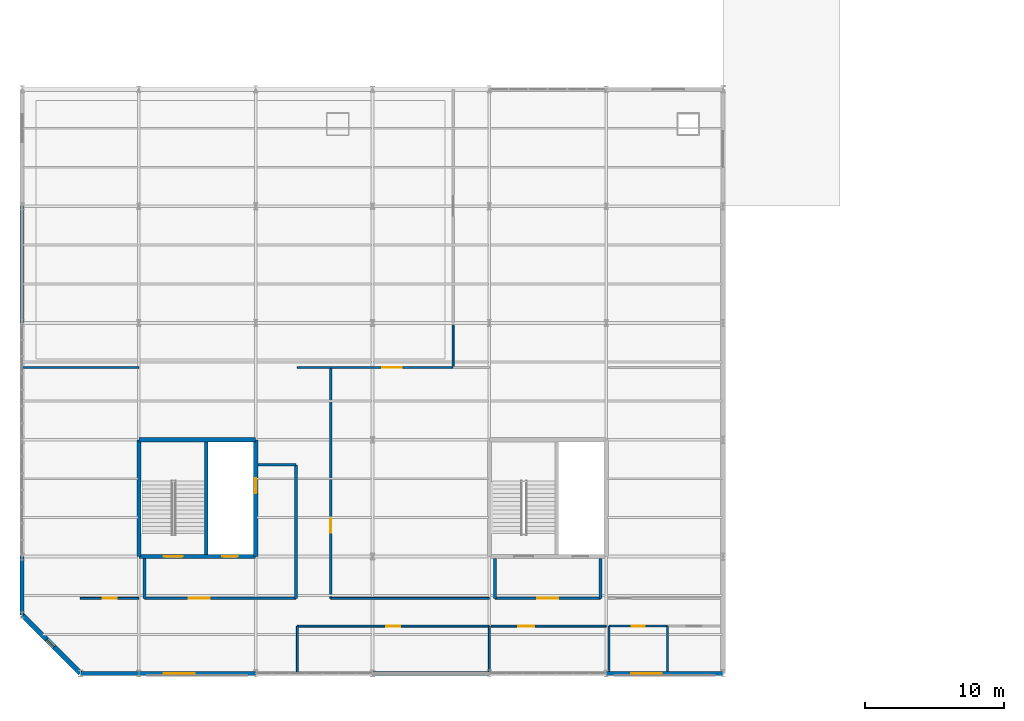
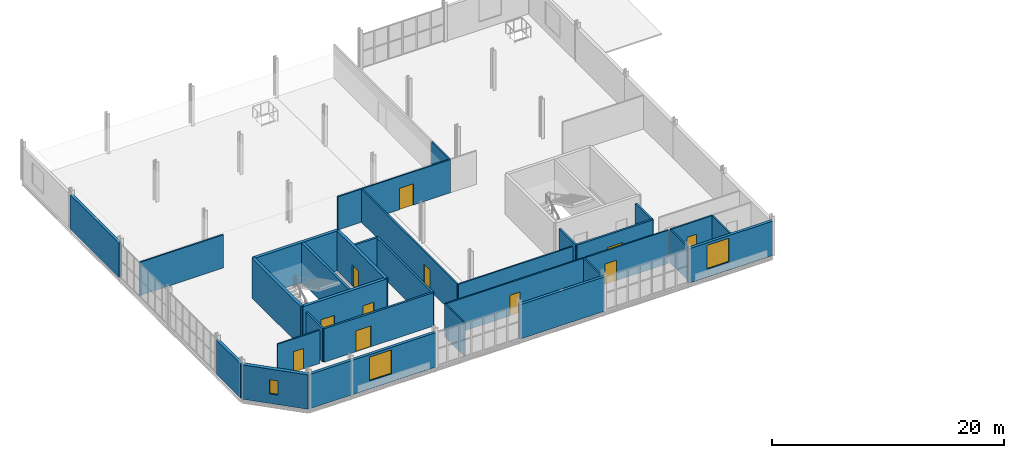
# One storey, part 46 of 69: 33 walls, 11 doors, 3 windows, 14 openings.
"""IFC4 building model written with IfcOpenShell, lengths in metres."""

from ifc_helpers import new_model, si_unit, direction, frame, frame_2d, origin, place, context, subcontext, project, spatial, rectangle, extrude, material, layer, layer_set, type_object, element, fill, save


model = new_model("IFC4")

# Units and contexts
model_context = context("Model", 3, precision=1e-05, world=origin(), true_north=direction((0.0, 1.0)))
body_context = subcontext(model_context, "Body", "Model", "MODEL_VIEW")
ifc_project = project(units=[si_unit("LENGTHUNIT", "METRE"), si_unit("AREAUNIT", "SQUARE_METRE"), si_unit("VOLUMEUNIT", "CUBIC_METRE"), si_unit("PLANEANGLEUNIT", "RADIAN"), si_unit("MASSUNIT", "GRAM", prefix="KILO")], contexts=[model_context])

# Site, building, storey
site_placement = place(None, origin())
site = spatial("IfcSite", under=ifc_project, at=site_placement, CompositionType="ELEMENT")
building_placement = place(site_placement, origin())
building = spatial("IfcBuilding", under=site, at=building_placement, Name="Qalvenar Corner Mobility Hub", CompositionType="ELEMENT")
storey_placement = place(building_placement, frame((0.0, 0.0, 13.199951171875)))
storey = spatial("IfcBuildingStorey", under=building, at=storey_placement, Name="L03", CompositionType="ELEMENT", Elevation=13.199951171875)

# Wall
ifc_material_1 = material(Name="Concrete C40/50", Category="concrete")
ifc_layer_1 = layer(ifc_material_1, 0.25)
ifc_layer_set_1 = layer_set([ifc_layer_1], Name="Concrete C40/50")
wall_type_1 = type_object("IfcWallType", Name="WL-CORE250", PredefinedType="SHEAR", material=ifc_layer_set_1)
wall_1_placement = place(storey_placement, frame((13.25, 8.550048828125, 0.0), z_axis=(0.0, 0.0, 1.0), x_axis=(0.0, 1.0, 0.0)))
element("IfcWall", 1, at=wall_1_placement, inside=storey, type_object=wall_type_1, Name="Core Divider Wall C1-L03", PredefinedType="SHEAR", context=body_context, shape_type="SweptSolid", body=[
    extrude(rectangle(XDim=8.099853515625, YDim=0.25, at=frame_2d((4.0498046875, 0.0))), origin(), (0.0, 0.0, 1.0), 4.199951171875),
])

# Wall, openings, doors
ifc_layer_2 = layer(ifc_material_1, 0.300048828125)
ifc_layer_set_2 = layer_set([ifc_layer_2], Name="Concrete C40/50")
wall_type_2 = type_object("IfcWallType", Name="WL-CORE300", PredefinedType="SHEAR", material=ifc_layer_set_2)
wall_2_placement = place(storey_placement, frame((8.39990234375, 8.39990234375, 0.0), z_axis=(0.0, 0.0, 1.0), x_axis=(1.0, 0.0, 0.0)))
wall_2 = element("IfcWall", 2, at=wall_2_placement, inside=storey, type_object=wall_type_2, Name="Core Shear Wall C1-L03-S", PredefinedType="SHEAR", context=body_context, shape_type="SweptSolid", body=[
    extrude(rectangle(XDim=8.400146484375, YDim=0.300048828125, at=frame_2d((4.2001953125, 0.0))), origin(), (0.0, 0.0, 1.0), 4.199951171875),
])
opening_1_placement = place(wall_2_placement, frame((1.800048828125, 0.0, 0.0)))
opening_1 = element("IfcOpeningElement", 3, at=opening_1_placement, cuts=wall_2, Name="Opening DR-200", PredefinedType="OPENING", context=body_context, shape_type="SweptSolid", body=[
    extrude(rectangle(XDim=1.35009765625, YDim=2.199951171875, at=frame_2d((0.675048828125, 1.10009765625))), frame((0.0, 0.16015625, 0.0), z_axis=(0.0, -1.0, 0.0), x_axis=(1.0, 0.0, 0.0)), (0.0, 0.0, 1.0), 0.320068359375),
])
opening_2_placement = place(wall_2_placement, frame((6.0, 0.0, 0.0)))
opening_2 = element("IfcOpeningElement", 4, at=opening_2_placement, cuts=wall_2, Name="Opening DR-201", PredefinedType="OPENING", context=body_context, shape_type="SweptSolid", body=[
    extrude(rectangle(XDim=1.10009765625, YDim=2.199951171875, at=frame_2d((0.550048828125, 1.10009765625))), frame((0.0, 0.16015625, 0.0), z_axis=(0.0, -1.0, 0.0), x_axis=(1.0, 0.0, 0.0)), (0.0, 0.0, 1.0), 0.320068359375),
])
ifc_material_2 = material(Name="Stainless Steel Lift Landing Door", Category="steel")
door_type_1 = type_object("IfcDoorType", Name="DR-LIFT-110", OperationType="SLIDING_TO_LEFT", PredefinedType="DOOR", material=ifc_material_2)
door_1_placement = place(opening_2_placement, origin())
door_1 = element("IfcDoor", 5, at=door_1_placement, inside=storey, type_object=door_type_1, Name="DR-201 Lift Landing Door LF1-L03", OperationType="SLIDING_TO_LEFT", OverallHeight=2.199951171875, OverallWidth=1.10009765625, PredefinedType="DOOR", context=body_context, shape_type="SweptSolid", body=[
    extrude(rectangle(XDim=1.10009765625, YDim=2.199951171875, at=frame_2d((0.550048828125, 1.10009765625))), frame((0.0, 0.02490234375, 0.0), z_axis=(0.0, -1.0, 0.0), x_axis=(1.0, 0.0, 0.0)), (0.0, 0.0, 1.0), 0.050048828125),
])
fill(opening_2, door_1)
ifc_material_3 = material(Name="Fire-Rated Steel Stair Door FD90", Category="steel")
door_type_2 = type_object("IfcDoorType", Name="DR-STAIR-135", OperationType="NOTDEFINED", PredefinedType="DOOR", material=ifc_material_3)
door_2_placement = place(opening_1_placement, origin())
door_2 = element("IfcDoor", 6, at=door_2_placement, inside=storey, type_object=door_type_2, Name="DR-200 Stair Fire Door ST1-L03", OperationType="SINGLE_SWING_RIGHT", OverallHeight=2.199951171875, OverallWidth=1.35009765625, PredefinedType="DOOR", context=body_context, shape_type="SweptSolid", body=[
    extrude(rectangle(XDim=1.35009765625, YDim=2.199951171875, at=frame_2d((0.675048828125, 1.10009765625))), frame((0.0, 0.02490234375, 0.0), z_axis=(0.0, -1.0, 0.0), x_axis=(1.0, 0.0, 0.0)), (0.0, 0.0, 1.0), 0.050048828125),
])
fill(opening_1, door_2)

# Wall, opening, door
wall_3_placement = place(storey_placement, frame((16.800048828125, 8.39990234375, 0.0), z_axis=(0.0, 0.0, 1.0), x_axis=(0.0, 1.0, 0.0)))
wall_3 = element("IfcWall", 7, at=wall_3_placement, inside=storey, type_object=wall_type_2, Name="Core Shear Wall C1-L03-E", PredefinedType="SHEAR", context=body_context, shape_type="SweptSolid", body=[
    extrude(rectangle(XDim=8.400146484375, YDim=0.300048828125, at=frame_2d((4.2001953125, 0.0))), origin(), (0.0, 0.0, 1.0), 4.199951171875),
])
opening_3_placement = place(wall_3_placement, frame((4.550048828125, 0.0, 0.0)))
opening_3 = element("IfcOpeningElement", 8, at=opening_3_placement, cuts=wall_3, Name="Opening DR-202", PredefinedType="OPENING", context=body_context, shape_type="SweptSolid", body=[
    extrude(rectangle(XDim=1.10009765625, YDim=2.199951171875, at=frame_2d((0.550048828125, 1.10009765625))), frame((0.0, 0.16015625, 0.0), z_axis=(0.0, -1.0, 0.0), x_axis=(1.0, 0.0, 0.0)), (0.0, 0.0, 1.0), 0.320068359375),
])
door_3_placement = place(opening_3_placement, origin())
door_3 = element("IfcDoor", 9, at=door_3_placement, inside=storey, type_object=door_type_1, Name="DR-202 Lift Landing Door LP1-L03", OperationType="SLIDING_TO_RIGHT", OverallHeight=2.199951171875, OverallWidth=1.10009765625, PredefinedType="DOOR", context=body_context, shape_type="SweptSolid", body=[
    extrude(rectangle(XDim=1.10009765625, YDim=2.199951171875, at=frame_2d((0.550048828125, 1.10009765625))), frame((0.0, 0.02490234375, 0.0), z_axis=(0.0, -1.0, 0.0), x_axis=(1.0, 0.0, 0.0)), (0.0, 0.0, 1.0), 0.050048828125),
])
fill(opening_3, door_3)

# Walls
for number, where, z_axis, x_axis, name in (
    (10, (16.800048828125, 16.800048828125, 0.0), (0.0, 0.0, 1.0), (-1.0, 0.0, 0.0), "Core Shear Wall C1-L03-N"),
    (11, (8.39990234375, 16.800048828125, 0.0), (0.0, 0.0, 1.0), (0.0, -1.0, 0.0), "Core Shear Wall C1-L03-W"),
):
    element("IfcWall", number, at=place(storey_placement, frame(where, z_axis=z_axis, x_axis=x_axis)), inside=storey, type_object=wall_type_2, Name=name, PredefinedType="SHEAR", context=body_context, shape_type="SweptSolid", body=[
        extrude(rectangle(XDim=8.400146484375, YDim=0.300048828125, at=frame_2d((4.2001953125, 0.0))), origin(), (0.0, 0.0, 1.0), 4.199951171875),
    ])
ifc_material_4 = material(Name="Kashikari Glazed Faience Masonry", Category="masonry")
ifc_layer_3 = layer(ifc_material_4, 0.280029296875)
ifc_layer_set_3 = layer_set([ifc_layer_3], Name="Kashikari Glazed Faience Masonry")
wall_type_3 = type_object("IfcWallType", Name="WL-EXT-FAI280", PredefinedType="STANDARD", material=ifc_layer_set_3)
wall_4_placement = place(storey_placement, frame((4.199951171875, 0.0, 0.0), z_axis=(0.0, 0.0, 1.0), x_axis=(1.0, 0.0, 0.0)))
element("IfcWall", 12, at=wall_4_placement, inside=storey, type_object=wall_type_3, Name="Exterior Facade Wall EW-V3-L03-028", PredefinedType="STANDARD", context=body_context, shape_type="SweptSolid", body=[
    extrude(rectangle(XDim=4.199951171875, YDim=0.280029296875, at=frame_2d((2.10009765625, 0.0))), origin(), (0.0, 0.0, 1.0), 3.6201171875),
])

# Wall, opening, window
wall_5_placement = place(storey_placement, frame((8.39990234375, 0.0, 0.0), z_axis=(0.0, 0.0, 1.0), x_axis=(1.0, 0.0, 0.0)))
wall_5 = element("IfcWall", 13, at=wall_5_placement, inside=storey, type_object=wall_type_3, Name="Exterior Facade Wall EW-V3-L03-029", PredefinedType="STANDARD", context=body_context, shape_type="SweptSolid", body=[
    extrude(rectangle(XDim=8.400146484375, YDim=0.280029296875, at=frame_2d((4.2001953125, 0.0))), origin(), (0.0, 0.0, 1.0), 3.6201171875),
])
opening_4_placement = place(wall_5_placement, frame((1.800048828125, 0.0, 0.85009765625)))
opening_4 = element("IfcOpeningElement", 14, at=opening_4_placement, cuts=wall_5, Name="Opening W-07", PredefinedType="OPENING", context=body_context, shape_type="SweptSolid", body=[
    extrude(rectangle(XDim=2.199951171875, YDim=2.5, at=frame_2d((1.10009765625, 1.25))), frame((0.0, 0.14990234375, 0.0), z_axis=(0.0, -1.0, 0.0), x_axis=(1.0, 0.0, 0.0)), (0.0, 0.0, 1.0), 0.300048828125),
])
ifc_material_5 = material(Name="Solar-Control Double-Glazed Bronze Window", Category="glass")
window_type_1 = type_object("IfcWindowType", Name="WN-CIV-220X250", PartitioningType="TRIPLE_PANEL_VERTICAL", PredefinedType="WINDOW", material=ifc_material_5)
window_1_placement = place(opening_4_placement, origin())
window_1 = element("IfcWindow", 15, at=window_1_placement, inside=storey, type_object=window_type_1, Name="Facade Window EW-V3-L03-029-W1", OverallHeight=2.5, OverallWidth=2.199951171875, PartitioningType="SINGLE_PANEL", PredefinedType="WINDOW", context=body_context, shape_type="SweptSolid", body=[
    extrude(rectangle(XDim=2.199951171875, YDim=2.5, at=frame_2d((1.10009765625, 1.25))), frame((0.0, 0.030029296875, 0.0), z_axis=(0.0, -1.0, 0.0), x_axis=(1.0, 0.0, 0.0)), (0.0, 0.0, 1.0), 0.06005859375),
])
fill(opening_4, window_1)

# Wall
wall_6_placement = place(storey_placement, frame((25.199951171875, 0.0, 0.0), z_axis=(0.0, 0.0, 1.0), x_axis=(1.0, 0.0, 0.0)))
element("IfcWall", 16, at=wall_6_placement, inside=storey, type_object=wall_type_3, Name="Exterior Facade Wall EW-V3-L03-030", PredefinedType="STANDARD", context=body_context, shape_type="SweptSolid", body=[
    extrude(rectangle(XDim=8.400146484375, YDim=0.280029296875, at=frame_2d((4.2001953125, 0.0))), origin(), (0.0, 0.0, 1.0), 3.6201171875),
])

# Wall, opening, window
wall_7_placement = place(storey_placement, frame((42.0, 0.0, 0.0), z_axis=(0.0, 0.0, 1.0), x_axis=(1.0, 0.0, 0.0)))
wall_7 = element("IfcWall", 17, at=wall_7_placement, inside=storey, type_object=wall_type_3, Name="Exterior Facade Wall EW-V3-L03-031", PredefinedType="STANDARD", context=body_context, shape_type="SweptSolid", body=[
    extrude(rectangle(XDim=8.39990234375, YDim=0.280029296875, at=frame_2d((4.199951171875, 0.0))), origin(), (0.0, 0.0, 1.0), 3.6201171875),
])
opening_5_placement = place(wall_7_placement, frame((1.800048828125, 0.0, 0.85009765625)))
opening_5 = element("IfcOpeningElement", 18, at=opening_5_placement, cuts=wall_7, Name="Opening W-07", PredefinedType="OPENING", context=body_context, shape_type="SweptSolid", body=[
    extrude(rectangle(XDim=2.199951171875, YDim=2.5, at=frame_2d((1.10009765625, 1.25))), frame((0.0, 0.14990234375, 0.0), z_axis=(0.0, -1.0, 0.0), x_axis=(1.0, 0.0, 0.0)), (0.0, 0.0, 1.0), 0.300048828125),
])
window_2_placement = place(opening_5_placement, origin())
window_2 = element("IfcWindow", 19, at=window_2_placement, inside=storey, type_object=window_type_1, Name="Facade Window EW-V3-L03-031-W1", OverallHeight=2.5, OverallWidth=2.199951171875, PartitioningType="SINGLE_PANEL", PredefinedType="WINDOW", context=body_context, shape_type="SweptSolid", body=[
    extrude(rectangle(XDim=2.199951171875, YDim=2.5, at=frame_2d((1.10009765625, 1.25))), frame((0.0, 0.030029296875, 0.0), z_axis=(0.0, -1.0, 0.0), x_axis=(1.0, 0.0, 0.0)), (0.0, 0.0, 1.0), 0.06005859375),
])
fill(opening_5, window_2)

# Walls
wall_8_placement = place(storey_placement, frame((0.0, 8.39990234375, 0.0), z_axis=(0.0, 0.0, 1.0), x_axis=(0.0, -1.0, 0.0)))
element("IfcWall", 20, at=wall_8_placement, inside=storey, type_object=wall_type_3, Name="Exterior Facade Wall EW-V3-L03-032", PredefinedType="STANDARD", context=body_context, shape_type="SweptSolid", body=[
    extrude(rectangle(XDim=4.199951171875, YDim=0.280029296875, at=frame_2d((2.10009765625, 0.0))), origin(), (0.0, 0.0, 1.0), 3.6201171875),
])
wall_9_placement = place(storey_placement, frame((0.0, 33.60009765625, 0.0), z_axis=(0.0, 0.0, 1.0), x_axis=(0.0, -1.0, 0.0)))
element("IfcWall", 21, at=wall_9_placement, inside=storey, type_object=wall_type_3, Name="Exterior Facade Wall EW-V3-L03-033", PredefinedType="STANDARD", context=body_context, shape_type="SweptSolid", body=[
    extrude(rectangle(XDim=8.400146484375, YDim=0.280029296875, at=frame_2d((4.2001953125, 0.0))), origin(), (0.0, 0.0, 1.0), 3.6201171875),
])

# Wall, opening, window
ifc_material_6 = material(Name="Red Sandstone Ashlar Masonry", Category="masonry")
ifc_layer_4 = layer(ifc_material_6, 0.360107421875)
ifc_layer_set_4 = layer_set([ifc_layer_4], Name="Red Sandstone Ashlar Masonry")
wall_type_4 = type_object("IfcWallType", Name="WL-EXT-SAND360", PredefinedType="STANDARD", material=ifc_layer_set_4)
wall_10_placement = place(storey_placement, frame((0.0, 4.199951171875, 0.0), z_axis=(0.0, 0.0, 1.0), x_axis=(0.707106781187, -0.707106781187, 0.0)))
wall_10 = element("IfcWall", 22, at=wall_10_placement, inside=storey, type_object=wall_type_4, Name="Exterior Facade Wall EW-V3-SPL-L03", PredefinedType="STANDARD", context=body_context, shape_type="SweptSolid", body=[
    extrude(rectangle(XDim=5.939697265625, YDim=0.360107421875, at=frame_2d((2.9697265625, 0.0))), origin(), (0.0, 0.0, 1.0), 3.6201171875),
])
opening_6_placement = place(wall_10_placement, frame((2.5, 0.0, 1.0)))
opening_6 = element("IfcOpeningElement", 23, at=opening_6_placement, cuts=wall_10, Name="Opening W-24", PredefinedType="OPENING", context=body_context, shape_type="SweptSolid", body=[
    extrude(rectangle(XDim=0.75, YDim=1.5, at=frame_2d((0.375, 0.75))), frame((0.0, 0.18994140625, 0.0), z_axis=(0.0, -1.0, 0.0), x_axis=(1.0, 0.0, 0.0)), (0.0, 0.0, 1.0), 0.380126953125),
])
window_type_2 = type_object("IfcWindowType", Name="WN-STR-075X150", PartitioningType="SINGLE_PANEL", PredefinedType="WINDOW", material=ifc_material_5)
window_3_placement = place(opening_6_placement, origin())
window_3 = element("IfcWindow", 24, at=window_3_placement, inside=storey, type_object=window_type_2, Name="Facade Window EW-V3-SPL-L03-W1", OverallHeight=1.5, OverallWidth=0.75, PartitioningType="SINGLE_PANEL", PredefinedType="WINDOW", context=body_context, shape_type="SweptSolid", body=[
    extrude(rectangle(XDim=0.75, YDim=1.5, at=frame_2d((0.375, 0.75))), frame((0.0, 0.030029296875, 0.0), z_axis=(0.0, -1.0, 0.0), x_axis=(1.0, 0.0, 0.0)), (0.0, 0.0, 1.0), 0.06005859375),
])
fill(opening_6, window_3)

# Wall, opening, door
ifc_material_7 = material(Name="Acoustic Gypsum Stud Partition", Category="masonry")
ifc_layer_5 = layer(ifc_material_7, 0.139892578125)
ifc_layer_set_5 = layer_set([ifc_layer_5], Name="Acoustic Gypsum Stud Partition")
wall_type_5 = type_object("IfcWallType", Name="WL-INT140", PredefinedType="PARTITIONING", material=ifc_layer_set_5)
wall_11_placement = place(storey_placement, frame((19.800048828125, 3.39990234375, 0.0), z_axis=(0.0, 0.0, 1.0), x_axis=(1.0, 0.0, 0.0)))
wall_11 = element("IfcWall", 25, at=wall_11_placement, inside=storey, type_object=wall_type_5, Name="Interior Partition PRT-L03-001", PredefinedType="PARTITIONING", context=body_context, shape_type="SweptSolid", body=[
    extrude(rectangle(XDim=13.800048828125, YDim=0.139892578125, at=frame_2d((6.89990234375, 0.0))), origin(), (0.0, 0.0, 1.0), 3.5),
])
opening_7_placement = place(wall_11_placement, frame((6.39990234375, 0.0, 0.0)))
opening_7 = element("IfcOpeningElement", 26, at=opening_7_placement, cuts=wall_11, Name="Opening DR-217", PredefinedType="OPENING", context=body_context, shape_type="SweptSolid", body=[
    extrude(rectangle(XDim=1.0, YDim=2.14990234375, at=frame_2d((0.5, 1.074951171875))), frame((0.0, 0.080078125, 0.0), z_axis=(0.0, -1.0, 0.0), x_axis=(1.0, 0.0, 0.0)), (0.0, 0.0, 1.0), 0.159912109375),
])
ifc_material_8 = material(Name="Hardwood Teak Office Door FD30", Category="wood")
door_type_3 = type_object("IfcDoorType", Name="DR-INT-OFF100", OperationType="NOTDEFINED", PredefinedType="DOOR", material=ifc_material_8)
door_4_placement = place(opening_7_placement, origin())
door_4 = element("IfcDoor", 27, at=door_4_placement, inside=storey, type_object=door_type_3, Name="DR-217 Control Room Staff Break Lounge Door", OperationType="SINGLE_SWING_LEFT", OverallHeight=2.14990234375, OverallWidth=1.0, PredefinedType="DOOR", context=body_context, shape_type="SweptSolid", body=[
    extrude(rectangle(XDim=1.0, YDim=2.14990234375, at=frame_2d((0.5, 1.074951171875))), frame((0.0, 0.02490234375, 0.0), z_axis=(0.0, -1.0, 0.0), x_axis=(1.0, 0.0, 0.0)), (0.0, 0.0, 1.0), 0.050048828125),
])
fill(opening_7, door_4)

wall_12_placement = place(storey_placement, frame((33.75, 3.39990234375, 0.0), z_axis=(0.0, 0.0, 1.0), x_axis=(1.0, 0.0, 0.0)))
wall_12 = element("IfcWall", 28, at=wall_12_placement, inside=storey, type_object=wall_type_5, Name="Interior Partition PRT-L03-002", PredefinedType="PARTITIONING", context=body_context, shape_type="SweptSolid", body=[
    extrude(rectangle(XDim=8.25, YDim=0.139892578125, at=frame_2d((4.125, 0.0))), origin(), (0.0, 0.0, 1.0), 3.5),
])
opening_8_placement = place(wall_12_placement, frame((1.919921875, 0.0, 0.0)))
opening_8 = element("IfcOpeningElement", 29, at=opening_8_placement, cuts=wall_12, Name="Opening DR-218", PredefinedType="OPENING", context=body_context, shape_type="SweptSolid", body=[
    extrude(rectangle(XDim=1.14990234375, YDim=2.14990234375, at=frame_2d((0.574951171875, 1.074951171875))), frame((0.0, 0.080078125, 0.0), z_axis=(0.0, -1.0, 0.0), x_axis=(1.0, 0.0, 0.0)), (0.0, 0.0, 1.0), 0.159912109375),
])
ifc_material_9 = material(Name="Steel Parts Store Door FD60", Category="steel")
door_type_4 = type_object("IfcDoorType", Name="DR-INT-STR115", OperationType="NOTDEFINED", PredefinedType="DOOR", material=ifc_material_9)
door_5_placement = place(opening_8_placement, origin())
door_5 = element("IfcDoor", 30, at=door_5_placement, inside=storey, type_object=door_type_4, Name="DR-218 Third Floor Equipment Store Door", OperationType="SINGLE_SWING_LEFT", OverallHeight=2.14990234375, OverallWidth=1.14990234375, PredefinedType="DOOR", context=body_context, shape_type="SweptSolid", body=[
    extrude(rectangle(XDim=1.14990234375, YDim=2.14990234375, at=frame_2d((0.574951171875, 1.074951171875))), frame((0.0, 0.02490234375, 0.0), z_axis=(0.0, -1.0, 0.0), x_axis=(1.0, 0.0, 0.0)), (0.0, 0.0, 1.0), 0.050048828125),
])
fill(opening_8, door_5)

wall_13_placement = place(storey_placement, frame((4.199951171875, 5.39990234375, 0.0), z_axis=(0.0, 0.0, 1.0), x_axis=(1.0, 0.0, 0.0)))
wall_13 = element("IfcWall", 31, at=wall_13_placement, inside=storey, type_object=wall_type_5, Name="Interior Partition PRT-L03-005", PredefinedType="PARTITIONING", context=body_context, shape_type="SweptSolid", body=[
    extrude(rectangle(XDim=4.199951171875, YDim=0.139892578125, at=frame_2d((2.10009765625, 0.0))), origin(), (0.0, 0.0, 1.0), 3.5),
])
opening_9_placement = place(wall_13_placement, frame((1.60009765625, 0.0, 0.0)))
opening_9 = element("IfcOpeningElement", 32, at=opening_9_placement, cuts=wall_13, Name="Opening DR-221", PredefinedType="OPENING", context=body_context, shape_type="SweptSolid", body=[
    extrude(rectangle(XDim=1.0, YDim=2.14990234375, at=frame_2d((0.5, 1.074951171875))), frame((0.0, 0.080078125, 0.0), z_axis=(0.0, -1.0, 0.0), x_axis=(1.0, 0.0, 0.0)), (0.0, 0.0, 1.0), 0.159912109375),
])
door_6_placement = place(opening_9_placement, origin())
door_6 = element("IfcDoor", 33, at=door_6_placement, inside=storey, type_object=door_type_3, Name="DR-221 Traffic Signal Engineering Office Door", OperationType="SINGLE_SWING_RIGHT", OverallHeight=2.14990234375, OverallWidth=1.0, PredefinedType="DOOR", context=body_context, shape_type="SweptSolid", body=[
    extrude(rectangle(XDim=1.0, YDim=2.14990234375, at=frame_2d((0.5, 1.074951171875))), frame((0.0, 0.02490234375, 0.0), z_axis=(0.0, -1.0, 0.0), x_axis=(1.0, 0.0, 0.0)), (0.0, 0.0, 1.0), 0.050048828125),
])
fill(opening_9, door_6)

# Walls
wall_14_placement = place(storey_placement, frame((22.199951171875, 5.39990234375, 0.0), z_axis=(0.0, 0.0, 1.0), x_axis=(1.0, 0.0, 0.0)))
element("IfcWall", 34, at=wall_14_placement, inside=storey, type_object=wall_type_5, Name="Interior Partition PRT-L03-006", PredefinedType="PARTITIONING", context=body_context, shape_type="SweptSolid", body=[
    extrude(rectangle(XDim=11.400146484375, YDim=0.139892578125, at=frame_2d((5.7001953125, 0.0))), origin(), (0.0, 0.0, 1.0), 3.5),
])
wall_15_placement = place(storey_placement, frame((0.044921875, 22.0, 0.0), z_axis=(0.0, 0.0, 1.0), x_axis=(1.0, 0.0, 0.0)))
element("IfcWall", 35, at=wall_15_placement, inside=storey, type_object=wall_type_5, Name="Interior Partition PRT-L03-008", PredefinedType="PARTITIONING", context=body_context, shape_type="SweptSolid", body=[
    extrude(rectangle(XDim=8.35498046875, YDim=0.139892578125, at=frame_2d((4.177490234375, 0.0))), origin(), (0.0, 0.0, 1.0), 3.5),
])
wall_16_placement = place(storey_placement, frame((19.800048828125, 22.0, 0.0), z_axis=(0.0, 0.0, 1.0), x_axis=(1.0, 0.0, 0.0)))
element("IfcWall", 36, at=wall_16_placement, inside=storey, type_object=wall_type_5, Name="Interior Partition PRT-L03-009", PredefinedType="PARTITIONING", context=body_context, shape_type="SweptSolid", body=[
    extrude(rectangle(XDim=2.39990234375, YDim=0.139892578125, at=frame_2d((1.199951171875, 0.0))), origin(), (0.0, 0.0, 1.0), 3.5),
])

# Wall, opening, door
wall_17_placement = place(storey_placement, frame((22.199951171875, 22.0, 0.0), z_axis=(0.0, 0.0, 1.0), x_axis=(1.0, 0.0, 0.0)))
wall_17 = element("IfcWall", 37, at=wall_17_placement, inside=storey, type_object=wall_type_5, Name="Interior Partition PRT-L03-010", PredefinedType="PARTITIONING", context=body_context, shape_type="SweptSolid", body=[
    extrude(rectangle(XDim=8.800048828125, YDim=0.139892578125, at=frame_2d((4.39990234375, 0.0))), origin(), (0.0, 0.0, 1.0), 3.5),
])
opening_10_placement = place(wall_17_placement, frame((3.699951171875, 0.0, 0.0)))
opening_10 = element("IfcOpeningElement", 38, at=opening_10_placement, cuts=wall_17, Name="Opening DR-223", PredefinedType="OPENING", context=body_context, shape_type="SweptSolid", body=[
    extrude(rectangle(XDim=1.39990234375, YDim=2.25, at=frame_2d((0.699951171875, 1.125))), frame((0.0, 0.080078125, 0.0), z_axis=(0.0, -1.0, 0.0), x_axis=(1.0, 0.0, 0.0)), (0.0, 0.0, 1.0), 0.159912109375),
])
ifc_material_10 = material(Name="Hardwood Teak Acoustic Double Door", Category="wood")
door_type_5 = type_object("IfcDoorType", Name="DR-INT-PUB140", OperationType="DOUBLE_DOOR_SINGLE_SWING", PredefinedType="DOOR", material=ifc_material_10)
door_7_placement = place(opening_10_placement, origin())
door_7 = element("IfcDoor", 39, at=door_7_placement, inside=storey, type_object=door_type_5, Name="DR-223 Integrated Transit Traffic Control Room Door", OperationType="DOUBLE_DOOR_SINGLE_SWING", OverallHeight=2.25, OverallWidth=1.39990234375, PredefinedType="DOOR", context=body_context, shape_type="SweptSolid", body=[
    extrude(rectangle(XDim=1.39990234375, YDim=2.25, at=frame_2d((0.699951171875, 1.125))), frame((0.0, 0.02490234375, 0.0), z_axis=(0.0, -1.0, 0.0), x_axis=(1.0, 0.0, 0.0)), (0.0, 0.0, 1.0), 0.050048828125),
])
fill(opening_10, door_7)

# Walls
wall_18_placement = place(storey_placement, frame((19.800048828125, 0.044921875, 0.0), z_axis=(0.0, 0.0, 1.0), x_axis=(0.0, 1.0, 0.0)))
element("IfcWall", 40, at=wall_18_placement, inside=storey, type_object=wall_type_5, Name="Interior Partition PRT-L03-013", PredefinedType="PARTITIONING", context=body_context, shape_type="SweptSolid", body=[
    extrude(rectangle(XDim=3.35498046875, YDim=0.139892578125, at=frame_2d((1.677490234375, 0.0))), origin(), (0.0, 0.0, 1.0), 3.5),
])
wall_19_placement = place(storey_placement, frame((31.0, 22.0, 0.0), z_axis=(0.0, 0.0, 1.0), x_axis=(0.0, 1.0, 0.0)))
element("IfcWall", 41, at=wall_19_placement, inside=storey, type_object=wall_type_5, Name="Interior Partition PRT-L03-015", PredefinedType="PARTITIONING", context=body_context, shape_type="SweptSolid", body=[
    extrude(rectangle(XDim=3.050048828125, YDim=0.139892578125, at=frame_2d((1.52490234375, 0.0))), origin(), (0.0, 0.0, 1.0), 3.5),
])
wall_20_placement = place(storey_placement, frame((33.60009765625, 0.14501953125, 0.0), z_axis=(0.0, 0.0, 1.0), x_axis=(0.0, 1.0, 0.0)))
element("IfcWall", 42, at=wall_20_placement, inside=storey, type_object=wall_type_5, Name="Interior Partition PRT-L03-017", PredefinedType="PARTITIONING", context=body_context, shape_type="SweptSolid", body=[
    extrude(rectangle(XDim=3.2548828125, YDim=0.139892578125, at=frame_2d((1.62744140625, 0.0))), origin(), (0.0, 0.0, 1.0), 3.489990234375),
])

# Wall, opening, door
ifc_material_11 = material(Name="Plastered Clay Brick Partition", Category="masonry")
ifc_layer_6 = layer(ifc_material_11, 0.159912109375)
ifc_layer_set_6 = layer_set([ifc_layer_6], Name="Plastered Clay Brick Partition")
wall_type_6 = type_object("IfcWallType", Name="WL-INT160", PredefinedType="PARTITIONING", material=ifc_layer_set_6)
wall_21_placement = place(storey_placement, frame((22.199951171875, 5.39990234375, 0.0), z_axis=(0.0, 0.0, 1.0), x_axis=(0.0, 1.0, 0.0)))
wall_21 = element("IfcWall", 43, at=wall_21_placement, inside=storey, type_object=wall_type_6, Name="Interior Partition PRT-L03-014", PredefinedType="PARTITIONING", context=body_context, shape_type="SweptSolid", body=[
    extrude(rectangle(XDim=16.60009765625, YDim=0.159912109375, at=frame_2d((8.300048828125, 0.0))), origin(), (0.0, 0.0, 1.0), 3.5),
])
opening_11_placement = place(wall_21_placement, frame((4.719970703125, 0.0, 0.0)))
opening_11 = element("IfcOpeningElement", 44, at=opening_11_placement, cuts=wall_21, Name="Opening DR-224", PredefinedType="OPENING", context=body_context, shape_type="SweptSolid", body=[
    extrude(rectangle(XDim=1.0, YDim=2.14990234375, at=frame_2d((0.5, 1.074951171875))), frame((0.0, 0.08984375, 0.0), z_axis=(0.0, -1.0, 0.0), x_axis=(1.0, 0.0, 0.0)), (0.0, 0.0, 1.0), 0.179931640625),
])
door_8_placement = place(opening_11_placement, origin())
door_8 = element("IfcDoor", 45, at=door_8_placement, inside=storey, type_object=door_type_3, Name="DR-224 Shift Duty Manager Office Door", OperationType="SINGLE_SWING_RIGHT", OverallHeight=2.14990234375, OverallWidth=1.0, PredefinedType="DOOR", context=body_context, shape_type="SweptSolid", body=[
    extrude(rectangle(XDim=1.0, YDim=2.14990234375, at=frame_2d((0.5, 1.074951171875))), frame((0.0, 0.02490234375, 0.0), z_axis=(0.0, -1.0, 0.0), x_axis=(1.0, 0.0, 0.0)), (0.0, 0.0, 1.0), 0.050048828125),
])
fill(opening_11, door_8)

# Wall
ifc_material_12 = material(Name="Concrete Blockwork Masonry", Category="masonry")
ifc_layer_7 = layer(ifc_material_12, 0.199951171875)
ifc_layer_set_7 = layer_set([ifc_layer_7], Name="Concrete Blockwork Masonry")
wall_type_7 = type_object("IfcWallType", Name="WL-LOBBY200", PredefinedType="PARTITIONING", material=ifc_layer_set_7)
wall_22_placement = place(storey_placement, frame((8.800048828125, 5.39990234375, 0.0), z_axis=(0.0, 0.0, 1.0), x_axis=(0.0, 1.0, 0.0)))
element("IfcWall", 46, at=wall_22_placement, inside=storey, type_object=wall_type_7, Name="Interior Partition WL-LOB-C1-L03-W", PredefinedType="PARTITIONING", context=body_context, shape_type="SweptSolid", body=[
    extrude(rectangle(XDim=2.85009765625, YDim=0.199951171875, at=frame_2d((1.425048828125, 0.0))), origin(), (0.0, 0.0, 1.0), 3.52001953125),
])

# Wall, opening, door
wall_23_placement = place(storey_placement, frame((8.800048828125, 5.39990234375, 0.0), z_axis=(0.0, 0.0, 1.0), x_axis=(1.0, 0.0, 0.0)))
wall_23 = element("IfcWall", 47, at=wall_23_placement, inside=storey, type_object=wall_type_7, Name="Interior Partition WL-LOB-C1-L03-S", PredefinedType="PARTITIONING", context=body_context, shape_type="SweptSolid", body=[
    extrude(rectangle(XDim=10.89990234375, YDim=0.199951171875, at=frame_2d((5.449951171875, 0.0))), origin(), (0.0, 0.0, 1.0), 3.52001953125),
])
opening_12_placement = place(wall_23_placement, frame((3.199951171875, 0.0, 0.0)))
opening_12 = element("IfcOpeningElement", 48, at=opening_12_placement, cuts=wall_23, Name="Opening DR-203", PredefinedType="OPENING", context=body_context, shape_type="SweptSolid", body=[
    extrude(rectangle(XDim=1.5, YDim=2.199951171875, at=frame_2d((0.75, 1.10009765625))), frame((0.0, 0.10986328125, 0.0), z_axis=(0.0, -1.0, 0.0), x_axis=(1.0, 0.0, 0.0)), (0.0, 0.0, 1.0), 0.219970703125),
])
ifc_material_13 = material(Name="Firefighting Lobby Smoke-Control Door FD60", Category="steel")
door_type_6 = type_object("IfcDoorType", Name="DR-FFLOB-150", OperationType="DOUBLE_DOOR_SINGLE_SWING", PredefinedType="DOOR", material=ifc_material_13)
door_9_placement = place(opening_12_placement, origin())
door_9 = element("IfcDoor", 49, at=door_9_placement, inside=storey, type_object=door_type_6, Name="DR-203 Lift Lobby Smoke Door C1-L03", OperationType="DOUBLE_DOOR_SINGLE_SWING", OverallHeight=2.199951171875, OverallWidth=1.5, PredefinedType="DOOR", context=body_context, shape_type="SweptSolid", body=[
    extrude(rectangle(XDim=1.5, YDim=2.199951171875, at=frame_2d((0.75, 1.10009765625))), frame((0.0, 0.02490234375, 0.0), z_axis=(0.0, -1.0, 0.0), x_axis=(1.0, 0.0, 0.0)), (0.0, 0.0, 1.0), 0.050048828125),
])
fill(opening_12, door_9)

# Walls
wall_24_placement = place(storey_placement, frame((19.699951171875, 5.39990234375, 0.0), z_axis=(0.0, 0.0, 1.0), x_axis=(0.0, 1.0, 0.0)))
element("IfcWall", 50, at=wall_24_placement, inside=storey, type_object=wall_type_7, Name="Interior Partition WL-LOB-C1-L03-E", PredefinedType="PARTITIONING", context=body_context, shape_type="SweptSolid", body=[
    extrude(rectangle(XDim=9.60009765625, YDim=0.199951171875, at=frame_2d((4.800048828125, 0.0))), origin(), (0.0, 0.0, 1.0), 3.52001953125),
])
wall_25_placement = place(storey_placement, frame((16.9599609375, 15.0, 0.0), z_axis=(0.0, 0.0, 1.0), x_axis=(1.0, 0.0, 0.0)))
element("IfcWall", 51, at=wall_25_placement, inside=storey, type_object=wall_type_7, Name="Interior Partition WL-LOB-C1-L03-N", PredefinedType="PARTITIONING", context=body_context, shape_type="SweptSolid", body=[
    extrude(rectangle(XDim=2.739990234375, YDim=0.199951171875, at=frame_2d((1.3701171875, 0.0))), origin(), (0.0, 0.0, 1.0), 3.52001953125),
])
for number, where, z_axis, x_axis, name in (
    (52, (34.0, 5.39990234375, 0.0), (0.0, 0.0, 1.0), (0.0, 1.0, 0.0), "Interior Partition WL-LOB-C2-L03-W"),
    (53, (41.60009765625, 5.39990234375, 0.0), (0.0, 0.0, 1.0), (0.0, 1.0, 0.0), "Interior Partition WL-LOB-C2-L03-E"),
):
    element("IfcWall", number, at=place(storey_placement, frame(where, z_axis=z_axis, x_axis=x_axis)), inside=storey, type_object=wall_type_7, Name=name, PredefinedType="PARTITIONING", context=body_context, shape_type="SweptSolid", body=[
        extrude(rectangle(XDim=2.85009765625, YDim=0.199951171875, at=frame_2d((1.425048828125, 0.0))), origin(), (0.0, 0.0, 1.0), 3.489990234375),
    ])

# Wall, opening, door
wall_26_placement = place(storey_placement, frame((34.0, 5.39990234375, 0.0), z_axis=(0.0, 0.0, 1.0), x_axis=(1.0, 0.0, 0.0)))
wall_26 = element("IfcWall", 54, at=wall_26_placement, inside=storey, type_object=wall_type_7, Name="Interior Partition WL-LOB-C2-L03-S", PredefinedType="PARTITIONING", context=body_context, shape_type="SweptSolid", body=[
    extrude(rectangle(XDim=7.60009765625, YDim=0.199951171875, at=frame_2d((3.800048828125, 0.0))), origin(), (0.0, 0.0, 1.0), 3.52001953125),
])
opening_13_placement = place(wall_26_placement, frame((3.050048828125, 0.0, 0.0)))
opening_13 = element("IfcOpeningElement", 55, at=opening_13_placement, cuts=wall_26, Name="Opening DR-206", PredefinedType="OPENING", context=body_context, shape_type="SweptSolid", body=[
    extrude(rectangle(XDim=1.5, YDim=2.199951171875, at=frame_2d((0.75, 1.10009765625))), frame((0.0, 0.10986328125, 0.0), z_axis=(0.0, -1.0, 0.0), x_axis=(1.0, 0.0, 0.0)), (0.0, 0.0, 1.0), 0.219970703125),
])
door_10_placement = place(opening_13_placement, origin())
door_10 = element("IfcDoor", 56, at=door_10_placement, inside=storey, type_object=door_type_6, Name="DR-206 Lift Lobby Smoke Door C2-L03", OperationType="DOUBLE_DOOR_SINGLE_SWING", OverallHeight=2.199951171875, OverallWidth=1.5, PredefinedType="DOOR", context=body_context, shape_type="SweptSolid", body=[
    extrude(rectangle(XDim=1.5, YDim=2.199951171875, at=frame_2d((0.75, 1.10009765625))), frame((0.0, 0.02490234375, 0.0), z_axis=(0.0, -1.0, 0.0), x_axis=(1.0, 0.0, 0.0)), (0.0, 0.0, 1.0), 0.050048828125),
])
fill(opening_13, door_10)

ifc_material_14 = material(Name="Ceramic-Tiled Moisture-Resistant Partition", Category="masonry")
ifc_layer_8 = layer(ifc_material_14, 0.14990234375)
ifc_layer_set_8 = layer_set([ifc_layer_8], Name="Ceramic-Tiled Moisture-Resistant Partition")
wall_type_8 = type_object("IfcWallType", Name="WL-WET150", PredefinedType="PARTITIONING", material=ifc_layer_set_8)
wall_27_placement = place(storey_placement, frame((42.199951171875, 3.39990234375, 0.0), z_axis=(0.0, 0.0, 1.0), x_axis=(1.0, 0.0, 0.0)))
wall_27 = element("IfcWall", 57, at=wall_27_placement, inside=storey, type_object=wall_type_8, Name="Interior Partition PRT-L03-003", PredefinedType="PARTITIONING", context=body_context, shape_type="SweptSolid", body=[
    extrude(rectangle(XDim=4.199951171875, YDim=0.14990234375, at=frame_2d((2.10009765625, 0.0))), origin(), (0.0, 0.0, 1.0), 3.5),
])
opening_14_placement = place(wall_27_placement, frame((1.625, 0.0, 0.0)))
opening_14 = element("IfcOpeningElement", 58, at=opening_14_placement, cuts=wall_27, Name="Opening DR-219", PredefinedType="OPENING", context=body_context, shape_type="SweptSolid", body=[
    extrude(rectangle(XDim=0.949951171875, YDim=2.10009765625, at=frame_2d((0.47509765625, 1.050048828125))), frame((0.0, 0.0849609375, 0.0), z_axis=(0.0, -1.0, 0.0), x_axis=(1.0, 0.0, 0.0)), (0.0, 0.0, 1.0), 0.169921875),
])
ifc_material_15 = material(Name="Moisture-Resistant Laminate WC Door", Category="wood")
door_type_7 = type_object("IfcDoorType", Name="DR-INT-WC095", OperationType="NOTDEFINED", PredefinedType="DOOR", material=ifc_material_15)
door_11_placement = place(opening_14_placement, origin())
door_11 = element("IfcDoor", 59, at=door_11_placement, inside=storey, type_object=door_type_7, Name="DR-219 Third Floor Staff Toilets Door", OperationType="SINGLE_SWING_RIGHT", OverallHeight=2.10009765625, OverallWidth=0.949951171875, PredefinedType="DOOR", context=body_context, shape_type="SweptSolid", body=[
    extrude(rectangle(XDim=0.949951171875, YDim=2.10009765625, at=frame_2d((0.47509765625, 1.050048828125))), frame((0.0, 0.02490234375, 0.0), z_axis=(0.0, -1.0, 0.0), x_axis=(1.0, 0.0, 0.0)), (0.0, 0.0, 1.0), 0.050048828125),
])
fill(opening_14, door_11)

# Walls
wall_28_placement = place(storey_placement, frame((42.199951171875, 0.14501953125, 0.0), z_axis=(0.0, 0.0, 1.0), x_axis=(0.0, 1.0, 0.0)))
element("IfcWall", 60, at=wall_28_placement, inside=storey, type_object=wall_type_8, Name="Interior Partition PRT-L03-018", PredefinedType="PARTITIONING", context=body_context, shape_type="SweptSolid", body=[
    extrude(rectangle(XDim=3.2548828125, YDim=0.14990234375, at=frame_2d((1.62744140625, 0.0))), origin(), (0.0, 0.0, 1.0), 3.489990234375),
])
wall_29_placement = place(storey_placement, frame((46.39990234375, 0.14501953125, 0.0), z_axis=(0.0, 0.0, 1.0), x_axis=(0.0, 1.0, 0.0)))
element("IfcWall", 61, at=wall_29_placement, inside=storey, type_object=wall_type_8, Name="Interior Partition PRT-L03-019", PredefinedType="PARTITIONING", context=body_context, shape_type="SweptSolid", body=[
    extrude(rectangle(XDim=3.2548828125, YDim=0.14990234375, at=frame_2d((1.62744140625, 0.0))), origin(), (0.0, 0.0, 1.0), 3.5),
])

save(model, "model.ifc")
